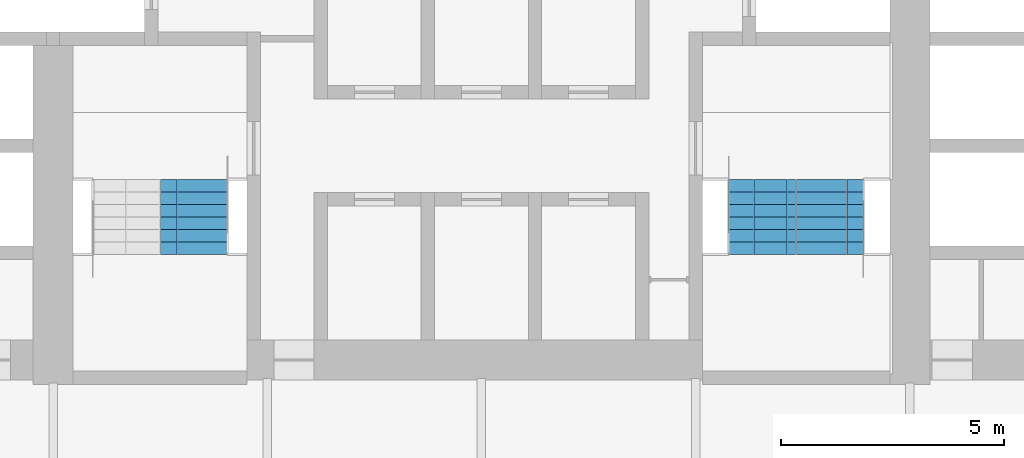
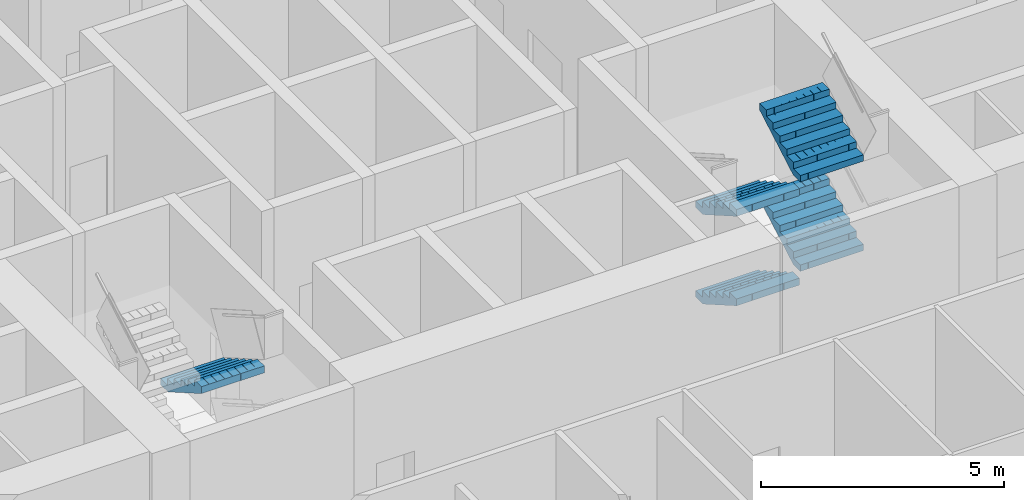
# One storey, part 19 of 23: 5 stair flights, 2 elements without a shape of their own.
"""IFC4 building model written with IfcOpenShell, lengths in metres."""

from ifc_helpers import new_model, si_unit, direction, frame, origin, place, context, subcontext, project, spatial, polyline, outline, extrude, material, type_object, element, aggregate, save


model = new_model("IFC4")

# Units and contexts
model_context = context("Model", 3, precision=1e-05, world=origin(), true_north=direction((0.0, 1.0)))
body_context = subcontext(model_context, "Body", "Model", "MODEL_VIEW")
ifc_project = project(units=[si_unit("LENGTHUNIT", "METRE"), si_unit("AREAUNIT", "SQUARE_METRE"), si_unit("VOLUMEUNIT", "CUBIC_METRE"), si_unit("PLANEANGLEUNIT", "RADIAN"), si_unit("MASSUNIT", "GRAM", prefix="KILO")], contexts=[model_context])

# Site, building, storey
site_placement = place(None, origin())
site = spatial("IfcSite", under=ifc_project, at=site_placement, CompositionType="ELEMENT")
building_placement = place(site_placement, origin())
building = spatial("IfcBuilding", under=site, at=building_placement, Name="Kolab Exchange Tower", CompositionType="ELEMENT")
storey_placement = place(building_placement, frame((0.0, 0.0, 95.89990234375)))
storey = spatial("IfcBuildingStorey", under=building, at=storey_placement, Name="L18", CompositionType="ELEMENT", Elevation=95.89990234375)

# Stair, stair flight
ifc_material = material(Name="Concrete C50/60", Category="concrete")
stair_type_1 = type_object("IfcStairType", Name="STAIR ST3 RISER 160.7", PredefinedType="DOUBLE_RETURN_STAIR", material=ifc_material)
stair_1_placement = place(storey_placement, origin())
stair_1 = element("IfcStair", 1, at=stair_1_placement, inside=storey, type_object=stair_type_1, Name="Stair 3", PredefinedType="DOUBLE_RETURN_STAIR")
stair_flight_type = type_object("IfcStairFlightType", Name="STAIR FLIGHT 1500 RISER 160.7", PredefinedType="STRAIGHT", material=ifc_material)
stair_flight_1_placement = place(storey_placement, frame((-6.43994140625, -5.550048828125, 2.25), z_axis=(0.0, 0.0, 1.0), x_axis=(0.0, -1.0, 0.0)))
stair_flight_1 = element("IfcStairFlight", 2, at=stair_flight_1_placement, type_object=stair_flight_type, Name="ST3 flight 3", NumberOfRisers=7, NumberOfTreads=6, PredefinedType="STRAIGHT", RiserHeight=0.160714286, TreadLength=0.28, context=body_context, shape_type="SweptSolid", body=[
    extrude(outline(polyline([(0.0, 0.0), (0.0, 0.16064453125), (0.280029296875, 0.16064453125), (0.280029296875, 0.321533203125), (0.56005859375, 0.321533203125), (0.56005859375, 0.482177734375), (0.840087890625, 0.482177734375), (0.840087890625, 0.642822265625), (1.1201171875, 0.642822265625), (1.1201171875, 0.803466796875), (1.39990234375, 0.803466796875), (1.39990234375, 0.96435546875), (1.679931640625, 0.96435546875), (1.679931640625, 1.125), (1.679931640625, 0.79150390625), (0.301025390625, 0.0), (0.0, 0.0)])), frame((0.0, 0.75, 0.0), z_axis=(0.0, -1.0, 0.0), x_axis=(1.0, 0.0, 0.0)), (0.0, 0.0, 1.0), 0.185791015625),
    extrude(outline(polyline([(0.0, 0.0), (0.0, 0.16064453125), (0.280029296875, 0.16064453125), (0.280029296875, 0.321533203125), (0.56005859375, 0.321533203125), (0.56005859375, 0.482177734375), (0.840087890625, 0.482177734375), (0.840087890625, 0.642822265625), (1.1201171875, 0.642822265625), (1.1201171875, 0.803466796875), (1.39990234375, 0.803466796875), (1.39990234375, 0.96435546875), (1.679931640625, 0.96435546875), (1.679931640625, 1.125), (1.679931640625, 0.79150390625), (0.301025390625, 0.0), (0.0, 0.0)])), frame((0.0, 0.562255859375, 0.0), z_axis=(0.0, -1.0, 0.0), x_axis=(1.0, 0.0, 0.0)), (0.0, 0.0, 1.0), 0.185791015625),
    extrude(outline(polyline([(0.0, 0.0), (0.0, 0.16064453125), (0.280029296875, 0.16064453125), (0.280029296875, 0.321533203125), (0.56005859375, 0.321533203125), (0.56005859375, 0.482177734375), (0.840087890625, 0.482177734375), (0.840087890625, 0.642822265625), (1.1201171875, 0.642822265625), (1.1201171875, 0.803466796875), (1.39990234375, 0.803466796875), (1.39990234375, 0.96435546875), (1.679931640625, 0.96435546875), (1.679931640625, 1.125), (1.679931640625, 0.79150390625), (0.301025390625, 0.0), (0.0, 0.0)])), frame((0.0, 0.37451171875, 0.0), z_axis=(0.0, -1.0, 0.0), x_axis=(1.0, 0.0, 0.0)), (0.0, 0.0, 1.0), 0.185791015625),
    extrude(outline(polyline([(0.0, 0.0), (0.0, 0.16064453125), (0.280029296875, 0.16064453125), (0.280029296875, 0.321533203125), (0.56005859375, 0.321533203125), (0.56005859375, 0.482177734375), (0.840087890625, 0.482177734375), (0.840087890625, 0.642822265625), (1.1201171875, 0.642822265625), (1.1201171875, 0.803466796875), (1.39990234375, 0.803466796875), (1.39990234375, 0.96435546875), (1.679931640625, 0.96435546875), (1.679931640625, 1.125), (1.679931640625, 0.79150390625), (0.301025390625, 0.0), (0.0, 0.0)])), frame((0.0, 0.186767578125, 0.0), z_axis=(0.0, -1.0, 0.0), x_axis=(1.0, 0.0, 0.0)), (0.0, 0.0, 1.0), 0.185791015625),
    extrude(outline(polyline([(0.0, 0.0), (0.0, 0.16064453125), (0.280029296875, 0.16064453125), (0.280029296875, 0.321533203125), (0.56005859375, 0.321533203125), (0.56005859375, 0.482177734375), (0.840087890625, 0.482177734375), (0.840087890625, 0.642822265625), (1.1201171875, 0.642822265625), (1.1201171875, 0.803466796875), (1.39990234375, 0.803466796875), (1.39990234375, 0.96435546875), (1.679931640625, 0.96435546875), (1.679931640625, 1.125), (1.679931640625, 0.79150390625), (0.301025390625, 0.0), (0.0, 0.0)])), frame((0.0, -0.0009765625, 0.0), z_axis=(0.0, -1.0, 0.0), x_axis=(1.0, 0.0, 0.0)), (0.0, 0.0, 1.0), 0.185791015625),
    extrude(outline(polyline([(0.0, 0.0), (0.0, 0.16064453125), (0.280029296875, 0.16064453125), (0.280029296875, 0.321533203125), (0.56005859375, 0.321533203125), (0.56005859375, 0.482177734375), (0.840087890625, 0.482177734375), (0.840087890625, 0.642822265625), (1.1201171875, 0.642822265625), (1.1201171875, 0.803466796875), (1.39990234375, 0.803466796875), (1.39990234375, 0.96435546875), (1.679931640625, 0.96435546875), (1.679931640625, 1.125), (1.679931640625, 0.79150390625), (0.301025390625, 0.0), (0.0, 0.0)])), frame((0.0, -0.188720703125, 0.0), z_axis=(0.0, -1.0, 0.0), x_axis=(1.0, 0.0, 0.0)), (0.0, 0.0, 1.0), 0.185791015625),
    extrude(outline(polyline([(0.0, 0.0), (0.0, 0.16064453125), (0.280029296875, 0.16064453125), (0.280029296875, 0.321533203125), (0.56005859375, 0.321533203125), (0.56005859375, 0.482177734375), (0.840087890625, 0.482177734375), (0.840087890625, 0.642822265625), (1.1201171875, 0.642822265625), (1.1201171875, 0.803466796875), (1.39990234375, 0.803466796875), (1.39990234375, 0.96435546875), (1.679931640625, 0.96435546875), (1.679931640625, 1.125), (1.679931640625, 0.79150390625), (0.301025390625, 0.0), (0.0, 0.0)])), frame((0.0, -0.37646484375, 0.0), z_axis=(0.0, -1.0, 0.0), x_axis=(1.0, 0.0, 0.0)), (0.0, 0.0, 1.0), 0.185791015625),
    extrude(outline(polyline([(0.0, 0.0), (0.0, 0.16064453125), (0.280029296875, 0.16064453125), (0.280029296875, 0.321533203125), (0.56005859375, 0.321533203125), (0.56005859375, 0.482177734375), (0.840087890625, 0.482177734375), (0.840087890625, 0.642822265625), (1.1201171875, 0.642822265625), (1.1201171875, 0.803466796875), (1.39990234375, 0.803466796875), (1.39990234375, 0.96435546875), (1.679931640625, 0.96435546875), (1.679931640625, 1.125), (1.679931640625, 0.79150390625), (0.301025390625, 0.0), (0.0, 0.0)])), frame((0.0, -0.564208984375, 0.0), z_axis=(0.0, -1.0, 0.0), x_axis=(1.0, 0.0, 0.0)), (0.0, 0.0, 1.0), 0.185791015625),
])
aggregate(stair_1, [stair_flight_1])

# Stair, stair flights
stair_type_2 = type_object("IfcStairType", Name="STAIR ST2 RISER 160.7", PredefinedType="DOUBLE_RETURN_STAIR", material=ifc_material)
stair_2_placement = place(storey_placement, origin())
stair_2 = element("IfcStair", 3, at=stair_2_placement, inside=storey, type_object=stair_type_2, Name="Stair 2", PredefinedType="DOUBLE_RETURN_STAIR")
stair_flight_2_placement = place(storey_placement, frame((6.2900390625, -5.550048828125, 0.0), z_axis=(0.0, 0.0, 1.0), x_axis=(0.0, -1.0, 0.0)))
stair_flight_2 = element("IfcStairFlight", 4, at=stair_flight_2_placement, type_object=stair_flight_type, Name="ST2 flight 1", NumberOfRisers=7, NumberOfTreads=6, PredefinedType="STRAIGHT", RiserHeight=0.160714286, TreadLength=0.28, context=body_context, shape_type="SweptSolid", body=[
    extrude(outline(polyline([(0.0, 0.0), (0.0, 0.16064453125), (0.280029296875, 0.16064453125), (0.280029296875, 0.321533203125), (0.56005859375, 0.321533203125), (0.56005859375, 0.482177734375), (0.840087890625, 0.482177734375), (0.840087890625, 0.642822265625), (1.1201171875, 0.642822265625), (1.1201171875, 0.803466796875), (1.39990234375, 0.803466796875), (1.39990234375, 0.96435546875), (1.679931640625, 0.96435546875), (1.679931640625, 1.125), (1.679931640625, 0.79150390625), (0.301025390625, 0.0), (0.0, 0.0)])), frame((0.0, 0.75, 0.0), z_axis=(0.0, -1.0, 0.0), x_axis=(1.0, 0.0, 0.0)), (0.0, 0.0, 1.0), 0.185791015625),
    extrude(outline(polyline([(0.0, 0.0), (0.0, 0.16064453125), (0.280029296875, 0.16064453125), (0.280029296875, 0.321533203125), (0.56005859375, 0.321533203125), (0.56005859375, 0.482177734375), (0.840087890625, 0.482177734375), (0.840087890625, 0.642822265625), (1.1201171875, 0.642822265625), (1.1201171875, 0.803466796875), (1.39990234375, 0.803466796875), (1.39990234375, 0.96435546875), (1.679931640625, 0.96435546875), (1.679931640625, 1.125), (1.679931640625, 0.79150390625), (0.301025390625, 0.0), (0.0, 0.0)])), frame((0.0, 0.562255859375, 0.0), z_axis=(0.0, -1.0, 0.0), x_axis=(1.0, 0.0, 0.0)), (0.0, 0.0, 1.0), 0.185791015625),
    extrude(outline(polyline([(0.0, 0.0), (0.0, 0.16064453125), (0.280029296875, 0.16064453125), (0.280029296875, 0.321533203125), (0.56005859375, 0.321533203125), (0.56005859375, 0.482177734375), (0.840087890625, 0.482177734375), (0.840087890625, 0.642822265625), (1.1201171875, 0.642822265625), (1.1201171875, 0.803466796875), (1.39990234375, 0.803466796875), (1.39990234375, 0.96435546875), (1.679931640625, 0.96435546875), (1.679931640625, 1.125), (1.679931640625, 0.79150390625), (0.301025390625, 0.0), (0.0, 0.0)])), frame((0.0, 0.37451171875, 0.0), z_axis=(0.0, -1.0, 0.0), x_axis=(1.0, 0.0, 0.0)), (0.0, 0.0, 1.0), 0.185791015625),
    extrude(outline(polyline([(0.0, 0.0), (0.0, 0.16064453125), (0.280029296875, 0.16064453125), (0.280029296875, 0.321533203125), (0.56005859375, 0.321533203125), (0.56005859375, 0.482177734375), (0.840087890625, 0.482177734375), (0.840087890625, 0.642822265625), (1.1201171875, 0.642822265625), (1.1201171875, 0.803466796875), (1.39990234375, 0.803466796875), (1.39990234375, 0.96435546875), (1.679931640625, 0.96435546875), (1.679931640625, 1.125), (1.679931640625, 0.79150390625), (0.301025390625, 0.0), (0.0, 0.0)])), frame((0.0, 0.186767578125, 0.0), z_axis=(0.0, -1.0, 0.0), x_axis=(1.0, 0.0, 0.0)), (0.0, 0.0, 1.0), 0.185791015625),
    extrude(outline(polyline([(0.0, 0.0), (0.0, 0.16064453125), (0.280029296875, 0.16064453125), (0.280029296875, 0.321533203125), (0.56005859375, 0.321533203125), (0.56005859375, 0.482177734375), (0.840087890625, 0.482177734375), (0.840087890625, 0.642822265625), (1.1201171875, 0.642822265625), (1.1201171875, 0.803466796875), (1.39990234375, 0.803466796875), (1.39990234375, 0.96435546875), (1.679931640625, 0.96435546875), (1.679931640625, 1.125), (1.679931640625, 0.79150390625), (0.301025390625, 0.0), (0.0, 0.0)])), frame((0.0, -0.0009765625, 0.0), z_axis=(0.0, -1.0, 0.0), x_axis=(1.0, 0.0, 0.0)), (0.0, 0.0, 1.0), 0.185791015625),
    extrude(outline(polyline([(0.0, 0.0), (0.0, 0.16064453125), (0.280029296875, 0.16064453125), (0.280029296875, 0.321533203125), (0.56005859375, 0.321533203125), (0.56005859375, 0.482177734375), (0.840087890625, 0.482177734375), (0.840087890625, 0.642822265625), (1.1201171875, 0.642822265625), (1.1201171875, 0.803466796875), (1.39990234375, 0.803466796875), (1.39990234375, 0.96435546875), (1.679931640625, 0.96435546875), (1.679931640625, 1.125), (1.679931640625, 0.79150390625), (0.301025390625, 0.0), (0.0, 0.0)])), frame((0.0, -0.188720703125, 0.0), z_axis=(0.0, -1.0, 0.0), x_axis=(1.0, 0.0, 0.0)), (0.0, 0.0, 1.0), 0.185791015625),
    extrude(outline(polyline([(0.0, 0.0), (0.0, 0.16064453125), (0.280029296875, 0.16064453125), (0.280029296875, 0.321533203125), (0.56005859375, 0.321533203125), (0.56005859375, 0.482177734375), (0.840087890625, 0.482177734375), (0.840087890625, 0.642822265625), (1.1201171875, 0.642822265625), (1.1201171875, 0.803466796875), (1.39990234375, 0.803466796875), (1.39990234375, 0.96435546875), (1.679931640625, 0.96435546875), (1.679931640625, 1.125), (1.679931640625, 0.79150390625), (0.301025390625, 0.0), (0.0, 0.0)])), frame((0.0, -0.37646484375, 0.0), z_axis=(0.0, -1.0, 0.0), x_axis=(1.0, 0.0, 0.0)), (0.0, 0.0, 1.0), 0.185791015625),
    extrude(outline(polyline([(0.0, 0.0), (0.0, 0.16064453125), (0.280029296875, 0.16064453125), (0.280029296875, 0.321533203125), (0.56005859375, 0.321533203125), (0.56005859375, 0.482177734375), (0.840087890625, 0.482177734375), (0.840087890625, 0.642822265625), (1.1201171875, 0.642822265625), (1.1201171875, 0.803466796875), (1.39990234375, 0.803466796875), (1.39990234375, 0.96435546875), (1.679931640625, 0.96435546875), (1.679931640625, 1.125), (1.679931640625, 0.79150390625), (0.301025390625, 0.0), (0.0, 0.0)])), frame((0.0, -0.564208984375, 0.0), z_axis=(0.0, -1.0, 0.0), x_axis=(1.0, 0.0, 0.0)), (0.0, 0.0, 1.0), 0.185791015625),
])
stair_flight_3_placement = place(storey_placement, frame((7.81005859375, -7.22998046875, 1.125), z_axis=(0.0, 0.0, 1.0), x_axis=(0.0, 1.0, 0.0)))
stair_flight_3 = element("IfcStairFlight", 5, at=stair_flight_3_placement, type_object=stair_flight_type, Name="ST2 flight 2", NumberOfRisers=7, NumberOfTreads=6, PredefinedType="STRAIGHT", RiserHeight=0.160714286, TreadLength=0.28, context=body_context, shape_type="SweptSolid", body=[
    extrude(outline(polyline([(0.0, 0.0), (0.0, 0.16064453125), (0.280029296875, 0.16064453125), (0.280029296875, 0.321533203125), (0.56005859375, 0.321533203125), (0.56005859375, 0.482177734375), (0.840087890625, 0.482177734375), (0.840087890625, 0.642822265625), (1.1201171875, 0.642822265625), (1.1201171875, 0.803466796875), (1.39990234375, 0.803466796875), (1.39990234375, 0.96435546875), (1.679931640625, 0.96435546875), (1.679931640625, 1.125), (1.679931640625, 0.79150390625), (0.301025390625, 0.0), (0.0, 0.0)])), frame((0.0, 0.75, 0.0), z_axis=(0.0, -1.0, 0.0), x_axis=(1.0, 0.0, 0.0)), (0.0, 0.0, 1.0), 0.185791015625),
    extrude(outline(polyline([(0.0, 0.0), (0.0, 0.16064453125), (0.280029296875, 0.16064453125), (0.280029296875, 0.321533203125), (0.56005859375, 0.321533203125), (0.56005859375, 0.482177734375), (0.840087890625, 0.482177734375), (0.840087890625, 0.642822265625), (1.1201171875, 0.642822265625), (1.1201171875, 0.803466796875), (1.39990234375, 0.803466796875), (1.39990234375, 0.96435546875), (1.679931640625, 0.96435546875), (1.679931640625, 1.125), (1.679931640625, 0.79150390625), (0.301025390625, 0.0), (0.0, 0.0)])), frame((0.0, 0.562255859375, 0.0), z_axis=(0.0, -1.0, 0.0), x_axis=(1.0, 0.0, 0.0)), (0.0, 0.0, 1.0), 0.185791015625),
    extrude(outline(polyline([(0.0, 0.0), (0.0, 0.16064453125), (0.280029296875, 0.16064453125), (0.280029296875, 0.321533203125), (0.56005859375, 0.321533203125), (0.56005859375, 0.482177734375), (0.840087890625, 0.482177734375), (0.840087890625, 0.642822265625), (1.1201171875, 0.642822265625), (1.1201171875, 0.803466796875), (1.39990234375, 0.803466796875), (1.39990234375, 0.96435546875), (1.679931640625, 0.96435546875), (1.679931640625, 1.125), (1.679931640625, 0.79150390625), (0.301025390625, 0.0), (0.0, 0.0)])), frame((0.0, 0.37451171875, 0.0), z_axis=(0.0, -1.0, 0.0), x_axis=(1.0, 0.0, 0.0)), (0.0, 0.0, 1.0), 0.185791015625),
    extrude(outline(polyline([(0.0, 0.0), (0.0, 0.16064453125), (0.280029296875, 0.16064453125), (0.280029296875, 0.321533203125), (0.56005859375, 0.321533203125), (0.56005859375, 0.482177734375), (0.840087890625, 0.482177734375), (0.840087890625, 0.642822265625), (1.1201171875, 0.642822265625), (1.1201171875, 0.803466796875), (1.39990234375, 0.803466796875), (1.39990234375, 0.96435546875), (1.679931640625, 0.96435546875), (1.679931640625, 1.125), (1.679931640625, 0.79150390625), (0.301025390625, 0.0), (0.0, 0.0)])), frame((0.0, 0.186767578125, 0.0), z_axis=(0.0, -1.0, 0.0), x_axis=(1.0, 0.0, 0.0)), (0.0, 0.0, 1.0), 0.185791015625),
    extrude(outline(polyline([(0.0, 0.0), (0.0, 0.16064453125), (0.280029296875, 0.16064453125), (0.280029296875, 0.321533203125), (0.56005859375, 0.321533203125), (0.56005859375, 0.482177734375), (0.840087890625, 0.482177734375), (0.840087890625, 0.642822265625), (1.1201171875, 0.642822265625), (1.1201171875, 0.803466796875), (1.39990234375, 0.803466796875), (1.39990234375, 0.96435546875), (1.679931640625, 0.96435546875), (1.679931640625, 1.125), (1.679931640625, 0.79150390625), (0.301025390625, 0.0), (0.0, 0.0)])), frame((0.0, -0.0009765625, 0.0), z_axis=(0.0, -1.0, 0.0), x_axis=(1.0, 0.0, 0.0)), (0.0, 0.0, 1.0), 0.185791015625),
    extrude(outline(polyline([(0.0, 0.0), (0.0, 0.16064453125), (0.280029296875, 0.16064453125), (0.280029296875, 0.321533203125), (0.56005859375, 0.321533203125), (0.56005859375, 0.482177734375), (0.840087890625, 0.482177734375), (0.840087890625, 0.642822265625), (1.1201171875, 0.642822265625), (1.1201171875, 0.803466796875), (1.39990234375, 0.803466796875), (1.39990234375, 0.96435546875), (1.679931640625, 0.96435546875), (1.679931640625, 1.125), (1.679931640625, 0.79150390625), (0.301025390625, 0.0), (0.0, 0.0)])), frame((0.0, -0.188720703125, 0.0), z_axis=(0.0, -1.0, 0.0), x_axis=(1.0, 0.0, 0.0)), (0.0, 0.0, 1.0), 0.185791015625),
    extrude(outline(polyline([(0.0, 0.0), (0.0, 0.16064453125), (0.280029296875, 0.16064453125), (0.280029296875, 0.321533203125), (0.56005859375, 0.321533203125), (0.56005859375, 0.482177734375), (0.840087890625, 0.482177734375), (0.840087890625, 0.642822265625), (1.1201171875, 0.642822265625), (1.1201171875, 0.803466796875), (1.39990234375, 0.803466796875), (1.39990234375, 0.96435546875), (1.679931640625, 0.96435546875), (1.679931640625, 1.125), (1.679931640625, 0.79150390625), (0.301025390625, 0.0), (0.0, 0.0)])), frame((0.0, -0.37646484375, 0.0), z_axis=(0.0, -1.0, 0.0), x_axis=(1.0, 0.0, 0.0)), (0.0, 0.0, 1.0), 0.185791015625),
    extrude(outline(polyline([(0.0, 0.0), (0.0, 0.16064453125), (0.280029296875, 0.16064453125), (0.280029296875, 0.321533203125), (0.56005859375, 0.321533203125), (0.56005859375, 0.482177734375), (0.840087890625, 0.482177734375), (0.840087890625, 0.642822265625), (1.1201171875, 0.642822265625), (1.1201171875, 0.803466796875), (1.39990234375, 0.803466796875), (1.39990234375, 0.96435546875), (1.679931640625, 0.96435546875), (1.679931640625, 1.125), (1.679931640625, 0.79150390625), (0.301025390625, 0.0), (0.0, 0.0)])), frame((0.0, -0.564208984375, 0.0), z_axis=(0.0, -1.0, 0.0), x_axis=(1.0, 0.0, 0.0)), (0.0, 0.0, 1.0), 0.185791015625),
])
stair_flight_4_placement = place(storey_placement, frame((6.2900390625, -5.550048828125, 2.25), z_axis=(0.0, 0.0, 1.0), x_axis=(0.0, -1.0, 0.0)))
stair_flight_4 = element("IfcStairFlight", 6, at=stair_flight_4_placement, type_object=stair_flight_type, Name="ST2 flight 3", NumberOfRisers=7, NumberOfTreads=6, PredefinedType="STRAIGHT", RiserHeight=0.160714286, TreadLength=0.28, context=body_context, shape_type="SweptSolid", body=[
    extrude(outline(polyline([(0.0, 0.0), (0.0, 0.16064453125), (0.280029296875, 0.16064453125), (0.280029296875, 0.321533203125), (0.56005859375, 0.321533203125), (0.56005859375, 0.482177734375), (0.840087890625, 0.482177734375), (0.840087890625, 0.642822265625), (1.1201171875, 0.642822265625), (1.1201171875, 0.803466796875), (1.39990234375, 0.803466796875), (1.39990234375, 0.96435546875), (1.679931640625, 0.96435546875), (1.679931640625, 1.125), (1.679931640625, 0.79150390625), (0.301025390625, 0.0), (0.0, 0.0)])), frame((0.0, 0.75, 0.0), z_axis=(0.0, -1.0, 0.0), x_axis=(1.0, 0.0, 0.0)), (0.0, 0.0, 1.0), 0.185791015625),
    extrude(outline(polyline([(0.0, 0.0), (0.0, 0.16064453125), (0.280029296875, 0.16064453125), (0.280029296875, 0.321533203125), (0.56005859375, 0.321533203125), (0.56005859375, 0.482177734375), (0.840087890625, 0.482177734375), (0.840087890625, 0.642822265625), (1.1201171875, 0.642822265625), (1.1201171875, 0.803466796875), (1.39990234375, 0.803466796875), (1.39990234375, 0.96435546875), (1.679931640625, 0.96435546875), (1.679931640625, 1.125), (1.679931640625, 0.79150390625), (0.301025390625, 0.0), (0.0, 0.0)])), frame((0.0, 0.562255859375, 0.0), z_axis=(0.0, -1.0, 0.0), x_axis=(1.0, 0.0, 0.0)), (0.0, 0.0, 1.0), 0.185791015625),
    extrude(outline(polyline([(0.0, 0.0), (0.0, 0.16064453125), (0.280029296875, 0.16064453125), (0.280029296875, 0.321533203125), (0.56005859375, 0.321533203125), (0.56005859375, 0.482177734375), (0.840087890625, 0.482177734375), (0.840087890625, 0.642822265625), (1.1201171875, 0.642822265625), (1.1201171875, 0.803466796875), (1.39990234375, 0.803466796875), (1.39990234375, 0.96435546875), (1.679931640625, 0.96435546875), (1.679931640625, 1.125), (1.679931640625, 0.79150390625), (0.301025390625, 0.0), (0.0, 0.0)])), frame((0.0, 0.37451171875, 0.0), z_axis=(0.0, -1.0, 0.0), x_axis=(1.0, 0.0, 0.0)), (0.0, 0.0, 1.0), 0.185791015625),
    extrude(outline(polyline([(0.0, 0.0), (0.0, 0.16064453125), (0.280029296875, 0.16064453125), (0.280029296875, 0.321533203125), (0.56005859375, 0.321533203125), (0.56005859375, 0.482177734375), (0.840087890625, 0.482177734375), (0.840087890625, 0.642822265625), (1.1201171875, 0.642822265625), (1.1201171875, 0.803466796875), (1.39990234375, 0.803466796875), (1.39990234375, 0.96435546875), (1.679931640625, 0.96435546875), (1.679931640625, 1.125), (1.679931640625, 0.79150390625), (0.301025390625, 0.0), (0.0, 0.0)])), frame((0.0, 0.186767578125, 0.0), z_axis=(0.0, -1.0, 0.0), x_axis=(1.0, 0.0, 0.0)), (0.0, 0.0, 1.0), 0.185791015625),
    extrude(outline(polyline([(0.0, 0.0), (0.0, 0.16064453125), (0.280029296875, 0.16064453125), (0.280029296875, 0.321533203125), (0.56005859375, 0.321533203125), (0.56005859375, 0.482177734375), (0.840087890625, 0.482177734375), (0.840087890625, 0.642822265625), (1.1201171875, 0.642822265625), (1.1201171875, 0.803466796875), (1.39990234375, 0.803466796875), (1.39990234375, 0.96435546875), (1.679931640625, 0.96435546875), (1.679931640625, 1.125), (1.679931640625, 0.79150390625), (0.301025390625, 0.0), (0.0, 0.0)])), frame((0.0, -0.0009765625, 0.0), z_axis=(0.0, -1.0, 0.0), x_axis=(1.0, 0.0, 0.0)), (0.0, 0.0, 1.0), 0.185791015625),
    extrude(outline(polyline([(0.0, 0.0), (0.0, 0.16064453125), (0.280029296875, 0.16064453125), (0.280029296875, 0.321533203125), (0.56005859375, 0.321533203125), (0.56005859375, 0.482177734375), (0.840087890625, 0.482177734375), (0.840087890625, 0.642822265625), (1.1201171875, 0.642822265625), (1.1201171875, 0.803466796875), (1.39990234375, 0.803466796875), (1.39990234375, 0.96435546875), (1.679931640625, 0.96435546875), (1.679931640625, 1.125), (1.679931640625, 0.79150390625), (0.301025390625, 0.0), (0.0, 0.0)])), frame((0.0, -0.188720703125, 0.0), z_axis=(0.0, -1.0, 0.0), x_axis=(1.0, 0.0, 0.0)), (0.0, 0.0, 1.0), 0.185791015625),
    extrude(outline(polyline([(0.0, 0.0), (0.0, 0.16064453125), (0.280029296875, 0.16064453125), (0.280029296875, 0.321533203125), (0.56005859375, 0.321533203125), (0.56005859375, 0.482177734375), (0.840087890625, 0.482177734375), (0.840087890625, 0.642822265625), (1.1201171875, 0.642822265625), (1.1201171875, 0.803466796875), (1.39990234375, 0.803466796875), (1.39990234375, 0.96435546875), (1.679931640625, 0.96435546875), (1.679931640625, 1.125), (1.679931640625, 0.79150390625), (0.301025390625, 0.0), (0.0, 0.0)])), frame((0.0, -0.37646484375, 0.0), z_axis=(0.0, -1.0, 0.0), x_axis=(1.0, 0.0, 0.0)), (0.0, 0.0, 1.0), 0.185791015625),
    extrude(outline(polyline([(0.0, 0.0), (0.0, 0.16064453125), (0.280029296875, 0.16064453125), (0.280029296875, 0.321533203125), (0.56005859375, 0.321533203125), (0.56005859375, 0.482177734375), (0.840087890625, 0.482177734375), (0.840087890625, 0.642822265625), (1.1201171875, 0.642822265625), (1.1201171875, 0.803466796875), (1.39990234375, 0.803466796875), (1.39990234375, 0.96435546875), (1.679931640625, 0.96435546875), (1.679931640625, 1.125), (1.679931640625, 0.79150390625), (0.301025390625, 0.0), (0.0, 0.0)])), frame((0.0, -0.564208984375, 0.0), z_axis=(0.0, -1.0, 0.0), x_axis=(1.0, 0.0, 0.0)), (0.0, 0.0, 1.0), 0.185791015625),
])
stair_flight_5_placement = place(storey_placement, frame((7.81005859375, -7.22998046875, 3.375), z_axis=(0.0, 0.0, 1.0), x_axis=(0.0, 1.0, 0.0)))
stair_flight_5 = element("IfcStairFlight", 7, at=stair_flight_5_placement, type_object=stair_flight_type, Name="ST2 flight 4", NumberOfRisers=7, NumberOfTreads=6, PredefinedType="STRAIGHT", RiserHeight=0.160714286, TreadLength=0.28, context=body_context, shape_type="SweptSolid", body=[
    extrude(outline(polyline([(0.0, 0.0), (0.0, 0.16064453125), (0.280029296875, 0.16064453125), (0.280029296875, 0.321533203125), (0.56005859375, 0.321533203125), (0.56005859375, 0.482177734375), (0.840087890625, 0.482177734375), (0.840087890625, 0.642822265625), (1.1201171875, 0.642822265625), (1.1201171875, 0.803466796875), (1.39990234375, 0.803466796875), (1.39990234375, 0.96435546875), (1.679931640625, 0.96435546875), (1.679931640625, 1.125), (1.679931640625, 0.79150390625), (0.301025390625, 0.0), (0.0, 0.0)])), frame((0.0, 0.75, 0.0), z_axis=(0.0, -1.0, 0.0), x_axis=(1.0, 0.0, 0.0)), (0.0, 0.0, 1.0), 0.185791015625),
    extrude(outline(polyline([(0.0, 0.0), (0.0, 0.16064453125), (0.280029296875, 0.16064453125), (0.280029296875, 0.321533203125), (0.56005859375, 0.321533203125), (0.56005859375, 0.482177734375), (0.840087890625, 0.482177734375), (0.840087890625, 0.642822265625), (1.1201171875, 0.642822265625), (1.1201171875, 0.803466796875), (1.39990234375, 0.803466796875), (1.39990234375, 0.96435546875), (1.679931640625, 0.96435546875), (1.679931640625, 1.125), (1.679931640625, 0.79150390625), (0.301025390625, 0.0), (0.0, 0.0)])), frame((0.0, 0.562255859375, 0.0), z_axis=(0.0, -1.0, 0.0), x_axis=(1.0, 0.0, 0.0)), (0.0, 0.0, 1.0), 0.185791015625),
    extrude(outline(polyline([(0.0, 0.0), (0.0, 0.16064453125), (0.280029296875, 0.16064453125), (0.280029296875, 0.321533203125), (0.56005859375, 0.321533203125), (0.56005859375, 0.482177734375), (0.840087890625, 0.482177734375), (0.840087890625, 0.642822265625), (1.1201171875, 0.642822265625), (1.1201171875, 0.803466796875), (1.39990234375, 0.803466796875), (1.39990234375, 0.96435546875), (1.679931640625, 0.96435546875), (1.679931640625, 1.125), (1.679931640625, 0.79150390625), (0.301025390625, 0.0), (0.0, 0.0)])), frame((0.0, 0.37451171875, 0.0), z_axis=(0.0, -1.0, 0.0), x_axis=(1.0, 0.0, 0.0)), (0.0, 0.0, 1.0), 0.185791015625),
    extrude(outline(polyline([(0.0, 0.0), (0.0, 0.16064453125), (0.280029296875, 0.16064453125), (0.280029296875, 0.321533203125), (0.56005859375, 0.321533203125), (0.56005859375, 0.482177734375), (0.840087890625, 0.482177734375), (0.840087890625, 0.642822265625), (1.1201171875, 0.642822265625), (1.1201171875, 0.803466796875), (1.39990234375, 0.803466796875), (1.39990234375, 0.96435546875), (1.679931640625, 0.96435546875), (1.679931640625, 1.125), (1.679931640625, 0.79150390625), (0.301025390625, 0.0), (0.0, 0.0)])), frame((0.0, 0.186767578125, 0.0), z_axis=(0.0, -1.0, 0.0), x_axis=(1.0, 0.0, 0.0)), (0.0, 0.0, 1.0), 0.185791015625),
    extrude(outline(polyline([(0.0, 0.0), (0.0, 0.16064453125), (0.280029296875, 0.16064453125), (0.280029296875, 0.321533203125), (0.56005859375, 0.321533203125), (0.56005859375, 0.482177734375), (0.840087890625, 0.482177734375), (0.840087890625, 0.642822265625), (1.1201171875, 0.642822265625), (1.1201171875, 0.803466796875), (1.39990234375, 0.803466796875), (1.39990234375, 0.96435546875), (1.679931640625, 0.96435546875), (1.679931640625, 1.125), (1.679931640625, 0.79150390625), (0.301025390625, 0.0), (0.0, 0.0)])), frame((0.0, -0.0009765625, 0.0), z_axis=(0.0, -1.0, 0.0), x_axis=(1.0, 0.0, 0.0)), (0.0, 0.0, 1.0), 0.185791015625),
    extrude(outline(polyline([(0.0, 0.0), (0.0, 0.16064453125), (0.280029296875, 0.16064453125), (0.280029296875, 0.321533203125), (0.56005859375, 0.321533203125), (0.56005859375, 0.482177734375), (0.840087890625, 0.482177734375), (0.840087890625, 0.642822265625), (1.1201171875, 0.642822265625), (1.1201171875, 0.803466796875), (1.39990234375, 0.803466796875), (1.39990234375, 0.96435546875), (1.679931640625, 0.96435546875), (1.679931640625, 1.125), (1.679931640625, 0.79150390625), (0.301025390625, 0.0), (0.0, 0.0)])), frame((0.0, -0.188720703125, 0.0), z_axis=(0.0, -1.0, 0.0), x_axis=(1.0, 0.0, 0.0)), (0.0, 0.0, 1.0), 0.185791015625),
    extrude(outline(polyline([(0.0, 0.0), (0.0, 0.16064453125), (0.280029296875, 0.16064453125), (0.280029296875, 0.321533203125), (0.56005859375, 0.321533203125), (0.56005859375, 0.482177734375), (0.840087890625, 0.482177734375), (0.840087890625, 0.642822265625), (1.1201171875, 0.642822265625), (1.1201171875, 0.803466796875), (1.39990234375, 0.803466796875), (1.39990234375, 0.96435546875), (1.679931640625, 0.96435546875), (1.679931640625, 1.125), (1.679931640625, 0.79150390625), (0.301025390625, 0.0), (0.0, 0.0)])), frame((0.0, -0.37646484375, 0.0), z_axis=(0.0, -1.0, 0.0), x_axis=(1.0, 0.0, 0.0)), (0.0, 0.0, 1.0), 0.185791015625),
    extrude(outline(polyline([(0.0, 0.0), (0.0, 0.16064453125), (0.280029296875, 0.16064453125), (0.280029296875, 0.321533203125), (0.56005859375, 0.321533203125), (0.56005859375, 0.482177734375), (0.840087890625, 0.482177734375), (0.840087890625, 0.642822265625), (1.1201171875, 0.642822265625), (1.1201171875, 0.803466796875), (1.39990234375, 0.803466796875), (1.39990234375, 0.96435546875), (1.679931640625, 0.96435546875), (1.679931640625, 1.125), (1.679931640625, 0.79150390625), (0.301025390625, 0.0), (0.0, 0.0)])), frame((0.0, -0.564208984375, 0.0), z_axis=(0.0, -1.0, 0.0), x_axis=(1.0, 0.0, 0.0)), (0.0, 0.0, 1.0), 0.185791015625),
])
aggregate(stair_2, [stair_flight_2, stair_flight_3, stair_flight_4, stair_flight_5])

save(model, "model.ifc")
